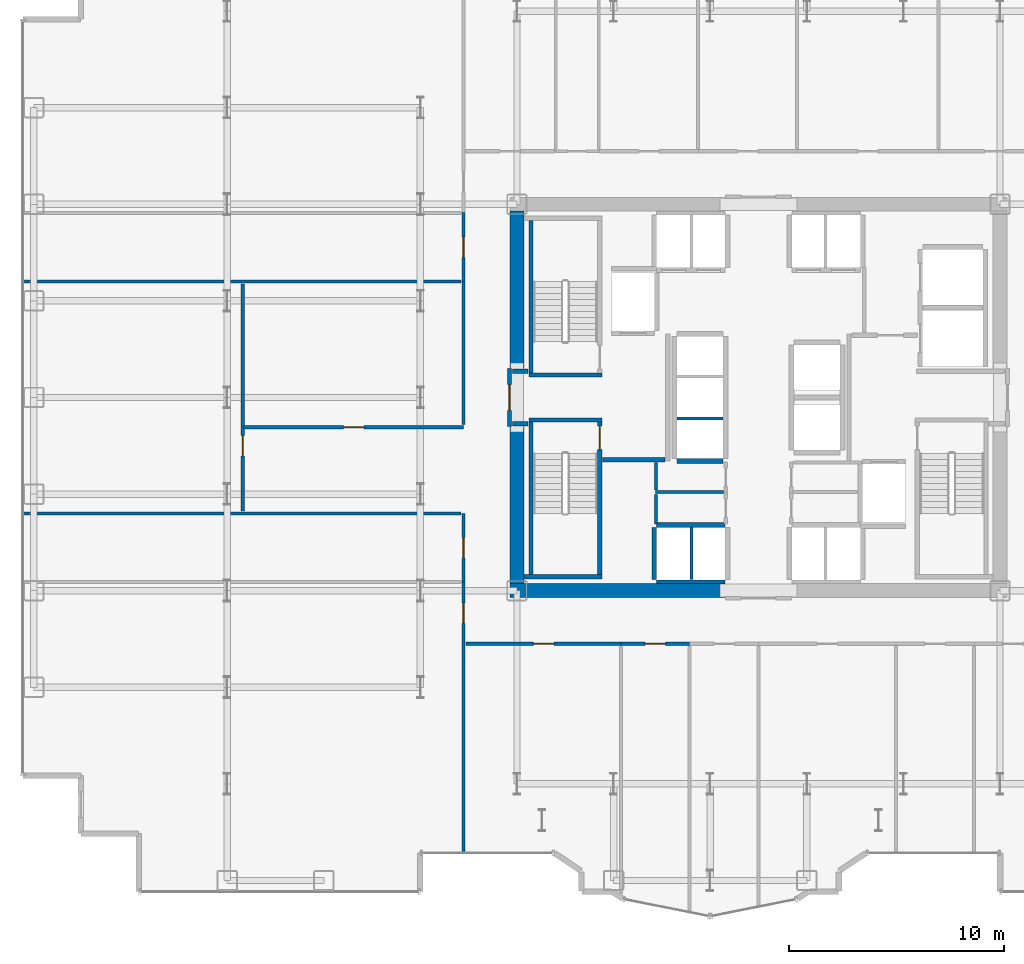
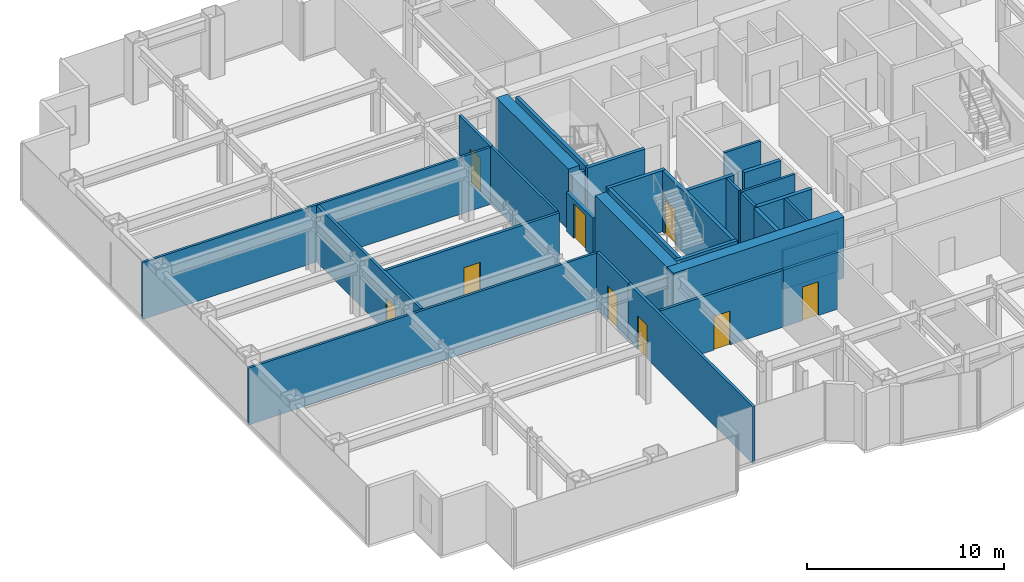
# One storey, part 20 of 25: 32 walls, 9 doors, 9 openings.
"""IFC4 building model written with IfcOpenShell, lengths in metres."""

from ifc_helpers import new_model, si_unit, direction, frame, frame_2d, origin, place, context, subcontext, project, spatial, rectangle, extrude, source, transform, mapped, material, layer, layer_set, type_object, element, fill, save


model = new_model("IFC4")

# Units and contexts
model_context = context("Model", 3, precision=1e-05, world=origin(), true_north=direction((0.0, 1.0)))
body_context = subcontext(model_context, "Body", "Model", "MODEL_VIEW")
ifc_project = project(units=[si_unit("LENGTHUNIT", "METRE"), si_unit("AREAUNIT", "SQUARE_METRE"), si_unit("VOLUMEUNIT", "CUBIC_METRE"), si_unit("PLANEANGLEUNIT", "RADIAN"), si_unit("MASSUNIT", "GRAM", prefix="KILO")], contexts=[model_context])

# Site, building, storey
site_placement = place(None, origin())
site = spatial("IfcSite", under=ifc_project, at=site_placement, CompositionType="ELEMENT")
building_placement = place(site_placement, origin())
building = spatial("IfcBuilding", under=site, at=building_placement, Name="Nefas-Gora Pilgrimage Tower", CompositionType="ELEMENT")
storey_placement = place(building_placement, frame((0.0, 0.0, 74.800048828125)))
storey = spatial("IfcBuildingStorey", under=building, at=storey_placement, Name="L17", CompositionType="ELEMENT", Elevation=74.800048828125)

# Walls
ifc_material_1 = material(Name="Concrete C60/75", Category="concrete")
ifc_layer_1 = layer(ifc_material_1, 0.64990234375)
ifc_layer_set_1 = layer_set([ifc_layer_1], Name="Concrete C60/75")
wall_type_1 = type_object("IfcWallType", Name="SW-CORE-650", PredefinedType="SHEAR", material=ifc_layer_set_1)
shared_shape_1 = source(origin(), body_context, "Body", "SweptSolid", [
    extrude(rectangle(XDim=10.02490234375, YDim=0.64990234375, at=frame_2d((5.012451171875, 0.0))), origin(), (0.0, 0.0, 1.0), 3.800048828125),
])
wall_1_placement = place(storey_placement, frame((-11.574951171875, -9.0, 0.0), z_axis=(0.0, 0.0, 1.0), x_axis=(1.0, 0.0, 0.0)))
element("IfcWall", 1, at=wall_1_placement, inside=storey, type_object=wall_type_1, Name="L17 Core Shear Wall S-West", PredefinedType="SHEAR", context=body_context, shape_type="MappedRepresentation", body=[
    mapped(shared_shape_1, transform((0.0, 0.0, 0.0), x_axis=(1.0, 0.0, 0.0), y_axis=(0.0, 1.0, 0.0), z_axis=(0.0, 0.0, 1.0), scale=1.0)),
])
shared_shape_2 = source(origin(), body_context, "Body", "SweptSolid", [
    extrude(rectangle(XDim=7.324951171875, YDim=0.64990234375, at=frame_2d((3.66259765625, 0.0))), origin(), (0.0, 0.0, 1.0), 3.800048828125),
])
for number, where, z_axis, x_axis, name in (
    (2, (-11.25, -8.675048828125, 0.0), (0.0, 0.0, 1.0), (0.0, 1.0, 0.0), "L17 Core Shear Wall W-South"),
    (3, (-11.25, 1.35009765625, 0.0), (0.0, 0.0, 1.0), (0.0, 1.0, 0.0), "L17 Core Shear Wall W-North"),
):
    element("IfcWall", number, at=place(storey_placement, frame(where, z_axis=z_axis, x_axis=x_axis)), inside=storey, type_object=wall_type_1, Name=name, PredefinedType="SHEAR", context=body_context, shape_type="MappedRepresentation", body=[
        mapped(shared_shape_2, transform((0.0, 0.0, 0.0), x_axis=(1.0, 0.0, 0.0), y_axis=(0.0, 1.0, 0.0), z_axis=(0.0, 0.0, 1.0), scale=1.0)),
    ])
ifc_material_2 = material(Name="Concrete C45/55", Category="concrete")
ifc_layer_2 = layer(ifc_material_2, 0.199951171875)
ifc_layer_set_2 = layer_set([ifc_layer_2], Name="Concrete C45/55")
wall_type_2 = type_object("IfcWallType", Name="IW-STAIR-200", PredefinedType="SOLIDWALL", material=ifc_layer_set_2)
shared_shape_3 = source(origin(), body_context, "Body", "SweptSolid", [
    extrude(rectangle(XDim=3.39990234375, YDim=0.199951171875, at=frame_2d((1.699951171875, 0.0))), origin(), (0.0, 0.0, 1.0), 3.800048828125),
])
for number, where, z_axis, x_axis, name in (
    (4, (-7.300048828125, 1.050048828125, 0.0), (0.0, 0.0, 1.0), (-1.0, 0.0, 0.0), "L17 Stairwell Shear Wall ST-01-near"),
    (5, (-10.699951171875, -1.050048828125, 0.0), (0.0, 0.0, 1.0), (1.0, 0.0, 0.0), "L17 Stairwell Shear Wall ST-03-near"),
):
    element("IfcWall", number, at=place(storey_placement, frame(where, z_axis=z_axis, x_axis=x_axis)), inside=storey, type_object=wall_type_2, Name=name, PredefinedType="SOLIDWALL", context=body_context, shape_type="MappedRepresentation", body=[
        mapped(shared_shape_3, transform((0.0, 0.0, 0.0), x_axis=(1.0, 0.0, 0.0), y_axis=(0.0, 1.0, 0.0), z_axis=(0.0, 0.0, 1.0), scale=1.0)),
    ])
shared_shape_4 = source(origin(), body_context, "Body", "SweptSolid", [
    extrude(rectangle(XDim=3.6298828125, YDim=0.199951171875, at=frame_2d((1.81494140625, 0.0))), origin(), (0.0, 0.0, 1.0), 3.800048828125),
])
wall_2_placement = place(storey_placement, frame((-10.929931640625, -8.35009765625, 0.0), z_axis=(0.0, 0.0, 1.0), x_axis=(1.0, 0.0, 0.0)))
element("IfcWall", 6, at=wall_2_placement, inside=storey, type_object=wall_type_2, Name="L17 Stairwell Shear Wall ST-03-far", PredefinedType="SOLIDWALL", context=body_context, shape_type="MappedRepresentation", body=[
    mapped(shared_shape_4, transform((0.0, 0.0, 0.0), x_axis=(1.0, 0.0, 0.0), y_axis=(0.0, 1.0, 0.0), z_axis=(0.0, 0.0, 1.0), scale=1.0)),
])
shared_shape_5 = source(origin(), body_context, "Body", "SweptSolid", [
    extrude(rectangle(XDim=7.10009765625, YDim=0.199951171875, at=frame_2d((3.550048828125, 0.0))), origin(), (0.0, 0.0, 1.0), 3.800048828125),
])
for number, where, z_axis, x_axis, name in (
    (7, (-10.60009765625, 1.14990234375, 0.0), (0.0, 0.0, 1.0), (0.0, 1.0, 0.0), "L17 Stairwell Shear Wall ST-01-right"),
    (8, (-10.60009765625, -1.14990234375, 0.0), (0.0, 0.0, 1.0), (0.0, -1.0, 0.0), "L17 Stairwell Shear Wall ST-03-left"),
):
    element("IfcWall", number, at=place(storey_placement, frame(where, z_axis=z_axis, x_axis=x_axis)), inside=storey, type_object=wall_type_2, Name=name, PredefinedType="SOLIDWALL", context=body_context, shape_type="MappedRepresentation", body=[
        mapped(shared_shape_5, transform((0.0, 0.0, 0.0), x_axis=(1.0, 0.0, 0.0), y_axis=(0.0, 1.0, 0.0), z_axis=(0.0, 0.0, 1.0), scale=1.0)),
    ])

# Wall, opening, door
wall_3_placement = place(storey_placement, frame((-7.39990234375, -1.14990234375, 0.0), z_axis=(0.0, 0.0, 1.0), x_axis=(0.0, -1.0, 0.0)))
wall_3 = element("IfcWall", 9, at=wall_3_placement, inside=storey, type_object=wall_type_2, Name="L17 Stairwell Shear Wall ST-03-right", PredefinedType="SOLIDWALL", context=body_context, shape_type="MappedRepresentation", body=[
    mapped(shared_shape_5, transform((0.0, 0.0, 0.0), x_axis=(1.0, 0.0, 0.0), y_axis=(0.0, 1.0, 0.0), z_axis=(0.0, 0.0, 1.0), scale=1.0)),
])
opening_1_placement = place(wall_3_placement, frame((0.179931640625, 0.0, 0.0)))
opening_1 = element("IfcOpeningElement", 10, at=opening_1_placement, cuts=wall_3, Name="Opening ID-ST1", PredefinedType="OPENING", context=body_context, shape_type="SweptSolid", body=[
    extrude(rectangle(XDim=1.10009765625, YDim=2.14990234375, at=frame_2d((0.550048828125, 1.074951171875))), frame((0.0, 0.10986328125, 0.0), z_axis=(0.0, -1.0, 0.0), x_axis=(1.0, 0.0, 0.0)), (0.0, 0.0, 1.0), 0.219970703125),
])
ifc_material_3 = material(Name="Painted galvanised steel fire stair door", Category="steel")
door_type_1 = type_object("IfcDoorType", Name="DR-INT-STAIR-1100", OperationType="NOTDEFINED", PredefinedType="DOOR", material=ifc_material_3)
shared_shape_6 = source(origin(), body_context, "Body", "SweptSolid", [
    extrude(rectangle(XDim=1.10009765625, YDim=2.14990234375, at=frame_2d((0.550048828125, 1.074951171875))), frame((0.0, 0.02490234375, 0.0), z_axis=(0.0, -1.0, 0.0), x_axis=(1.0, 0.0, 0.0)), (0.0, 0.0, 1.0), 0.050048828125),
])
door_1_placement = place(opening_1_placement, origin())
door_1 = element("IfcDoor", 11, at=door_1_placement, inside=storey, type_object=door_type_1, Name="L17 Protected Exit Stair Door ST-03", OperationType="SINGLE_SWING_LEFT", OverallHeight=2.14990234375, OverallWidth=1.10009765625, PredefinedType="DOOR", context=body_context, shape_type="MappedRepresentation", body=[
    mapped(shared_shape_6, transform((0.0, 0.0, 0.0), x_axis=(1.0, 0.0, 0.0), y_axis=(0.0, 1.0, 0.0), z_axis=(0.0, 0.0, 1.0), scale=1.0)),
])
fill(opening_1, door_1)

# Walls
ifc_material_4 = material(Name="Concrete C40/50", Category="concrete")
ifc_layer_3 = layer(ifc_material_4, 0.219970703125)
ifc_layer_set_3 = layer_set([ifc_layer_3], Name="Concrete C40/50")
wall_type_3 = type_object("IfcWallType", Name="IW-SHAFT-220", PredefinedType="SOLIDWALL", material=ifc_layer_set_3)
shared_shape_7 = source(origin(), body_context, "Body", "SweptSolid", [
    extrude(rectangle(XDim=3.199951171875, YDim=0.219970703125, at=frame_2d((1.60009765625, 0.0))), origin(), (0.0, 0.0, 1.0), 3.534912109375),
])
wall_4_placement = place(storey_placement, frame((-1.550048828125, -5.93994140625, 0.0), z_axis=(0.0, 0.0, 1.0), x_axis=(-1.0, 0.0, 0.0)))
element("IfcWall", 12, at=wall_4_placement, inside=storey, type_object=wall_type_3, Name="L17 Hoistway Wall PL2-W-N", PredefinedType="SOLIDWALL", context=body_context, shape_type="MappedRepresentation", body=[
    mapped(shared_shape_7, transform((0.0, 0.0, 0.0), x_axis=(1.0, 0.0, 0.0), y_axis=(0.0, 1.0, 0.0), z_axis=(0.0, 0.0, 1.0), scale=1.0)),
])
ifc_material_5 = material(Name="Gypsum acoustic stud partition")
ifc_layer_4 = layer(ifc_material_5, 0.159912109375)
ifc_layer_set_4 = layer_set([ifc_layer_4], Name="Gypsum acoustic stud partition")
wall_type_4 = type_object("IfcWallType", Name="IW-CORR-160", PredefinedType="PARTITIONING", material=ifc_layer_set_4)
shared_shape_8 = source(origin(), body_context, "Body", "SweptSolid", [
    extrude(rectangle(XDim=3.199951171875, YDim=0.159912109375, at=frame_2d((1.60009765625, 0.0))), origin(), (0.0, 0.0, 1.0), 2.425048828125),
])
wall_5_placement = place(storey_placement, frame((-4.75, -8.580078125, 0.0), z_axis=(0.0, 0.0, 1.0), x_axis=(1.0, 0.0, 0.0)))
element("IfcWall", 13, at=wall_5_placement, inside=storey, type_object=wall_type_4, Name="L17 Hoistway Wall PL2-W-S", PredefinedType="PARTITIONING", context=body_context, shape_type="MappedRepresentation", body=[
    mapped(shared_shape_8, transform((0.0, 0.0, 0.0), x_axis=(1.0, 0.0, 0.0), y_axis=(0.0, 1.0, 0.0), z_axis=(0.0, 0.0, 1.0), scale=1.0)),
])
shared_shape_9 = source(origin(), body_context, "Body", "SweptSolid", [
    extrude(rectangle(XDim=2.429931640625, YDim=0.219970703125, at=frame_2d((1.21484375, 0.0))), origin(), (0.0, 0.0, 1.0), 3.534912109375),
])
wall_6_placement = place(storey_placement, frame((-4.860107421875, -6.06005859375, 0.0), z_axis=(0.0, 0.0, 1.0), x_axis=(0.0, -1.0, 0.0)))
element("IfcWall", 14, at=wall_6_placement, inside=storey, type_object=wall_type_3, Name="L17 Hoistway Wall PL2-W-W", PredefinedType="SOLIDWALL", context=body_context, shape_type="MappedRepresentation", body=[
    mapped(shared_shape_9, transform((0.0, 0.0, 0.0), x_axis=(1.0, 0.0, 0.0), y_axis=(0.0, 1.0, 0.0), z_axis=(0.0, 0.0, 1.0), scale=1.0)),
])
ifc_material_6 = material(Name="Gypsum twin-stud partition")
ifc_layer_5 = layer(ifc_material_6, 0.139892578125)
ifc_layer_set_5 = layer_set([ifc_layer_5], Name="Gypsum twin-stud partition")
wall_type_5 = type_object("IfcWallType", Name="IW-UNIT-140", PredefinedType="PARTITIONING", material=ifc_layer_set_5)
shared_shape_10 = source(origin(), body_context, "Body", "SweptSolid", [
    extrude(rectangle(XDim=2.429931640625, YDim=0.139892578125, at=frame_2d((1.21484375, 0.0))), origin(), (0.0, 0.0, 1.0), 3.534912109375),
])
wall_7_placement = place(storey_placement, frame((-3.125, -8.489990234375, 0.0), z_axis=(0.0, 0.0, 1.0), x_axis=(0.0, 1.0, 0.0)))
element("IfcWall", 15, at=wall_7_placement, inside=storey, type_object=wall_type_5, Name="L17 Hoistway Wall PL2-W-DIV", PredefinedType="PARTITIONING", context=body_context, shape_type="MappedRepresentation", body=[
    mapped(shared_shape_10, transform((0.0, 0.0, 0.0), x_axis=(1.0, 0.0, 0.0), y_axis=(0.0, 1.0, 0.0), z_axis=(0.0, 0.0, 1.0), scale=1.0)),
])
shared_shape_11 = source(origin(), body_context, "Body", "SweptSolid", [
    extrude(rectangle(XDim=2.130126953125, YDim=0.219970703125, at=frame_2d((1.06494140625, 0.0))), origin(), (0.0, 0.0, 1.0), 3.534912109375),
])
wall_8_placement = place(storey_placement, frame((-3.7900390625, -2.9599609375, 0.0), z_axis=(0.0, 0.0, 1.0), x_axis=(1.0, 0.0, 0.0)))
element("IfcWall", 16, at=wall_8_placement, inside=storey, type_object=wall_type_3, Name="L17 Hoistway Wall PL3-01-S", PredefinedType="SOLIDWALL", context=body_context, shape_type="MappedRepresentation", body=[
    mapped(shared_shape_11, transform((0.0, 0.0, 0.0), x_axis=(1.0, 0.0, 0.0), y_axis=(0.0, 1.0, 0.0), z_axis=(0.0, 0.0, 1.0), scale=1.0)),
])
shared_shape_12 = source(origin(), body_context, "Body", "SweptSolid", [
    extrude(rectangle(XDim=2.130126953125, YDim=0.139892578125, at=frame_2d((1.06494140625, 0.0))), origin(), (0.0, 0.0, 1.0), 3.534912109375),
])
wall_9_placement = place(storey_placement, frame((-3.7900390625, -0.97509765625, 0.0), z_axis=(0.0, 0.0, 1.0), x_axis=(1.0, 0.0, 0.0)))
element("IfcWall", 17, at=wall_9_placement, inside=storey, type_object=wall_type_5, Name="L17 Hoistway Wall PL3-01-02-DIV", PredefinedType="PARTITIONING", context=body_context, shape_type="MappedRepresentation", body=[
    mapped(shared_shape_12, transform((0.0, 0.0, 0.0), x_axis=(1.0, 0.0, 0.0), y_axis=(0.0, 1.0, 0.0), z_axis=(0.0, 0.0, 1.0), scale=1.0)),
])

# Wall, opening, door
ifc_material_7 = material(Name="Gypsum fire-rated shaftwall")
ifc_layer_6 = layer(ifc_material_7, 0.199951171875)
ifc_layer_set_6 = layer_set([ifc_layer_6], Name="Gypsum fire-rated shaftwall")
wall_type_6 = type_object("IfcWallType", Name="IW-FFLOB-200", PredefinedType="PARTITIONING", material=ifc_layer_set_6)
shared_shape_13 = source(origin(), body_context, "Body", "SweptSolid", [
    extrude(rectangle(XDim=2.7001953125, YDim=0.199951171875, at=frame_2d((1.35009765625, 0.0))), origin(), (0.0, 0.0, 1.0), 2.425048828125),
])
wall_10_placement = place(storey_placement, frame((-11.60009765625, -1.35009765625, 0.0), z_axis=(0.0, 0.0, 1.0), x_axis=(0.0, 1.0, 0.0)))
wall_10 = element("IfcWall", 18, at=wall_10_placement, inside=storey, type_object=wall_type_6, Name="L17 FF Lobby West Portal Wall 3", PredefinedType="PARTITIONING", context=body_context, shape_type="MappedRepresentation", body=[
    mapped(shared_shape_13, transform((0.0, 0.0, 0.0), x_axis=(1.0, 0.0, 0.0), y_axis=(0.0, 1.0, 0.0), z_axis=(0.0, 0.0, 1.0), scale=1.0)),
])
opening_2_placement = place(wall_10_placement, frame((0.75, 0.0, 0.0)))
opening_2 = element("IfcOpeningElement", 19, at=opening_2_placement, cuts=wall_10, Name="Opening ID-FF1", PredefinedType="OPENING", context=body_context, shape_type="SweptSolid", body=[
    extrude(rectangle(XDim=1.199951171875, YDim=2.14990234375, at=frame_2d((0.60009765625, 1.074951171875))), frame((0.0, 0.10986328125, 0.0), z_axis=(0.0, -1.0, 0.0), x_axis=(1.0, 0.0, 0.0)), (0.0, 0.0, 1.0), 0.219970703125),
])
ifc_material_8 = material(Name="Smoke-sealed steel firefighting lobby door", Category="steel")
door_type_2 = type_object("IfcDoorType", Name="DR-INT-FFLOB-1200", OperationType="NOTDEFINED", PredefinedType="DOOR", material=ifc_material_8)
shared_shape_14 = source(origin(), body_context, "Body", "SweptSolid", [
    extrude(rectangle(XDim=1.199951171875, YDim=2.14990234375, at=frame_2d((0.60009765625, 1.074951171875))), frame((0.0, 0.02490234375, 0.0), z_axis=(0.0, -1.0, 0.0), x_axis=(1.0, 0.0, 0.0)), (0.0, 0.0, 1.0), 0.050048828125),
])
door_2_placement = place(opening_2_placement, origin())
door_2 = element("IfcDoor", 20, at=door_2_placement, inside=storey, type_object=door_type_2, Name="L17 FF Lobby West Portal Door 1", OperationType="SINGLE_SWING_LEFT", OverallHeight=2.14990234375, OverallWidth=1.199951171875, PredefinedType="DOOR", context=body_context, shape_type="MappedRepresentation", body=[
    mapped(shared_shape_14, transform((0.0, 0.0, 0.0), x_axis=(1.0, 0.0, 0.0), y_axis=(0.0, 1.0, 0.0), z_axis=(0.0, 0.0, 1.0), scale=1.0)),
])
fill(opening_2, door_2)

# Walls
shared_shape_15 = source(origin(), body_context, "Body", "SweptSolid", [
    extrude(rectangle(XDim=2.89990234375, YDim=0.199951171875, at=frame_2d((1.449951171875, 0.0))), origin(), (0.0, 0.0, 1.0), 3.534912109375),
])
wall_11_placement = place(storey_placement, frame((-7.260009765625, -2.89990234375, 0.0), z_axis=(0.0, 0.0, 1.0), x_axis=(1.0, 0.0, 0.0)))
element("IfcWall", 21, at=wall_11_placement, inside=storey, type_object=wall_type_6, Name="L17 FF Lobby West South Wall Wall 5", PredefinedType="PARTITIONING", context=body_context, shape_type="MappedRepresentation", body=[
    mapped(shared_shape_15, transform((0.0, 0.0, 0.0), x_axis=(1.0, 0.0, 0.0), y_axis=(0.0, 1.0, 0.0), z_axis=(0.0, 0.0, 1.0), scale=1.0)),
])
shared_shape_16 = source(origin(), body_context, "Body", "SweptSolid", [
    extrude(rectangle(XDim=0.719970703125, YDim=0.199951171875, at=frame_2d((0.35986328125, 0.0))), origin(), (0.0, 0.0, 1.0), 3.534912109375),
])
for number, where, z_axis, x_axis, name in (
    (22, (-11.4599609375, 1.219970703125, 0.0), (0.0, 0.0, 1.0), (1.0, 0.0, 0.0), "L17 FF Lobby West Throat N Wall 6"),
    (23, (-11.4599609375, -1.219970703125, 0.0), (0.0, 0.0, 1.0), (1.0, 0.0, 0.0), "L17 FF Lobby West Throat S Wall 7"),
):
    element("IfcWall", number, at=place(storey_placement, frame(where, z_axis=z_axis, x_axis=x_axis)), inside=storey, type_object=wall_type_6, Name=name, PredefinedType="PARTITIONING", context=body_context, shape_type="MappedRepresentation", body=[
        mapped(shared_shape_16, transform((0.0, 0.0, 0.0), x_axis=(1.0, 0.0, 0.0), y_axis=(0.0, 1.0, 0.0), z_axis=(0.0, 0.0, 1.0), scale=1.0)),
    ])

# Wall, opening, door
shared_shape_17 = source(origin(), body_context, "Body", "SweptSolid", [
    extrude(rectangle(XDim=10.25, YDim=0.159912109375, at=frame_2d((5.125, 0.0))), origin(), (0.0, 0.0, 1.0), 3.534912109375),
])
wall_12_placement = place(storey_placement, frame((-23.97998046875, -1.3798828125, 0.0), z_axis=(0.0, 0.0, 1.0), x_axis=(1.0, 0.0, 0.0)))
wall_12 = element("IfcWall", 24, at=wall_12_placement, inside=storey, type_object=wall_type_4, Name="L17 Pilgrim Floor Concierge Foyer Partition Wall 32", PredefinedType="PARTITIONING", context=body_context, shape_type="MappedRepresentation", body=[
    mapped(shared_shape_17, transform((0.0, 0.0, 0.0), x_axis=(1.0, 0.0, 0.0), y_axis=(0.0, 1.0, 0.0), z_axis=(0.0, 0.0, 1.0), scale=1.0)),
])
opening_3_placement = place(wall_12_placement, frame((4.64990234375, 0.0, 0.0)))
opening_3 = element("IfcOpeningElement", 25, at=opening_3_placement, cuts=wall_12, Name="Opening ID-GR1", PredefinedType="OPENING", context=body_context, shape_type="SweptSolid", body=[
    extrude(rectangle(XDim=0.949951171875, YDim=2.10009765625, at=frame_2d((0.47509765625, 1.050048828125))), frame((0.0, 0.08984375, 0.0), z_axis=(0.0, -1.0, 0.0), x_axis=(1.0, 0.0, 0.0)), (0.0, 0.0, 1.0), 0.179931640625),
])
ifc_material_9 = material(Name="Solid core oak fire-rated guest entrance door")
door_type_3 = type_object("IfcDoorType", Name="DR-INT-GUEST-950", OperationType="NOTDEFINED", PredefinedType="DOOR", material=ifc_material_9)
shared_shape_18 = source(origin(), body_context, "Body", "SweptSolid", [
    extrude(rectangle(XDim=0.949951171875, YDim=2.10009765625, at=frame_2d((0.47509765625, 1.050048828125))), frame((0.0, 0.02490234375, 0.0), z_axis=(0.0, -1.0, 0.0), x_axis=(1.0, 0.0, 0.0)), (0.0, 0.0, 1.0), 0.050048828125),
])
door_3_placement = place(opening_3_placement, origin())
door_3 = element("IfcDoor", 26, at=door_3_placement, inside=storey, type_object=door_type_3, Name="L17 Pilgrim Floor Concierge Foyer Door 13", OperationType="SINGLE_SWING_LEFT", OverallHeight=2.10009765625, OverallWidth=0.949951171875, PredefinedType="DOOR", context=body_context, shape_type="MappedRepresentation", body=[
    mapped(shared_shape_18, transform((0.0, 0.0, 0.0), x_axis=(1.0, 0.0, 0.0), y_axis=(0.0, 1.0, 0.0), z_axis=(0.0, 0.0, 1.0), scale=1.0)),
])
fill(opening_3, door_3)

# Walls
shared_shape_19 = source(origin(), body_context, "Body", "SweptSolid", [
    extrude(rectangle(XDim=20.429931640625, YDim=0.139892578125, at=frame_2d((10.21484375, 0.0))), origin(), (0.0, 0.0, 1.0), 3.534912109375),
])
wall_13_placement = place(storey_placement, frame((-34.2900390625, -5.405029296875, 0.0), z_axis=(0.0, 0.0, 1.0), x_axis=(1.0, 0.0, 0.0)))
element("IfcWall", 27, at=wall_13_placement, inside=storey, type_object=wall_type_5, Name="L17 Pilgrim Floor Concierge Foyer Partition Wall 31", PredefinedType="PARTITIONING", context=body_context, shape_type="MappedRepresentation", body=[
    mapped(shared_shape_19, transform((0.0, 0.0, 0.0), x_axis=(1.0, 0.0, 0.0), y_axis=(0.0, 1.0, 0.0), z_axis=(0.0, 0.0, 1.0), scale=1.0)),
])
shared_shape_20 = source(origin(), body_context, "Body", "SweptSolid", [
    extrude(rectangle(XDim=20.43994140625, YDim=0.139892578125, at=frame_2d((10.219970703125, 0.0))), origin(), (0.0, 0.0, 1.0), 3.534912109375),
])
wall_14_placement = place(storey_placement, frame((-34.2900390625, 5.39501953125, 0.0), z_axis=(0.0, 0.0, 1.0), x_axis=(1.0, 0.0, 0.0)))
element("IfcWall", 28, at=wall_14_placement, inside=storey, type_object=wall_type_5, Name="L17 Pilgrim Floor Concierge Foyer Partition Wall 34", PredefinedType="PARTITIONING", context=body_context, shape_type="MappedRepresentation", body=[
    mapped(shared_shape_20, transform((0.0, 0.0, 0.0), x_axis=(1.0, 0.0, 0.0), y_axis=(0.0, 1.0, 0.0), z_axis=(0.0, 0.0, 1.0), scale=1.0)),
])
shared_shape_21 = source(origin(), body_context, "Body", "SweptSolid", [
    extrude(rectangle(XDim=3.150146484375, YDim=0.139892578125, at=frame_2d((1.5751953125, 0.0))), origin(), (0.0, 0.0, 1.0), 3.534912109375),
])
wall_15_placement = place(storey_placement, frame((-4.7900390625, -4.409912109375, 0.0), z_axis=(0.0, 0.0, 1.0), x_axis=(1.0, 0.0, 0.0)))
element("IfcWall", 29, at=wall_15_placement, inside=storey, type_object=wall_type_5, Name="L17 Housekeeping and Linen Store Partition Wall 17", PredefinedType="PARTITIONING", context=body_context, shape_type="MappedRepresentation", body=[
    mapped(shared_shape_21, transform((0.0, 0.0, 0.0), x_axis=(1.0, 0.0, 0.0), y_axis=(0.0, 1.0, 0.0), z_axis=(0.0, 0.0, 1.0), scale=1.0)),
])
shared_shape_22 = source(origin(), body_context, "Body", "SweptSolid", [
    extrude(rectangle(XDim=1.260009765625, YDim=0.139892578125, at=frame_2d((0.6298828125, 0.0))), origin(), (0.0, 0.0, 1.0), 3.534912109375),
])
wall_16_placement = place(storey_placement, frame((-4.780029296875, -4.300048828125, 0.0), z_axis=(0.0, 0.0, 1.0), x_axis=(0.0, 1.0, 0.0)))
element("IfcWall", 30, at=wall_16_placement, inside=storey, type_object=wall_type_5, Name="L17 Housekeeping and Linen Store Partition Wall 18", PredefinedType="PARTITIONING", context=body_context, shape_type="MappedRepresentation", body=[
    mapped(shared_shape_22, transform((0.0, 0.0, 0.0), x_axis=(1.0, 0.0, 0.0), y_axis=(0.0, 1.0, 0.0), z_axis=(0.0, 0.0, 1.0), scale=1.0)),
])
shared_shape_23 = source(origin(), body_context, "Body", "SweptSolid", [
    extrude(rectangle(XDim=1.369873046875, YDim=0.139892578125, at=frame_2d((0.68505859375, 0.0))), origin(), (0.0, 0.0, 1.0), 3.534912109375),
])
wall_17_placement = place(storey_placement, frame((-4.780029296875, -5.889892578125, 0.0), z_axis=(0.0, 0.0, 1.0), x_axis=(0.0, 1.0, 0.0)))
element("IfcWall", 31, at=wall_17_placement, inside=storey, type_object=wall_type_5, Name="L17 Guest Self-Service Laundry Room Partition Wall 20", PredefinedType="PARTITIONING", context=body_context, shape_type="MappedRepresentation", body=[
    mapped(shared_shape_23, transform((0.0, 0.0, 0.0), x_axis=(1.0, 0.0, 0.0), y_axis=(0.0, 1.0, 0.0), z_axis=(0.0, 0.0, 1.0), scale=1.0)),
])

# Wall, opening, door
shared_shape_24 = source(origin(), body_context, "Body", "SweptSolid", [
    extrude(rectangle(XDim=12.64501953125, YDim=0.159912109375, at=frame_2d((6.322509765625, 0.0))), origin(), (0.0, 0.0, 1.0), 3.534912109375),
])
wall_18_placement = place(storey_placement, frame((-13.739990234375, -21.239990234375, 0.0), z_axis=(0.0, 0.0, 1.0), x_axis=(0.0, 1.0, 0.0)))
wall_18 = element("IfcWall", 32, at=wall_18_placement, inside=storey, type_object=wall_type_4, Name="L17 Pilgrim Floor Concierge Foyer Partition Wall 28", PredefinedType="PARTITIONING", context=body_context, shape_type="MappedRepresentation", body=[
    mapped(shared_shape_24, transform((0.0, 0.0, 0.0), x_axis=(1.0, 0.0, 0.0), y_axis=(0.0, 1.0, 0.0), z_axis=(0.0, 0.0, 1.0), scale=1.0)),
])
opening_4_placement = place(wall_18_placement, frame((10.71240234375, 0.0, 0.0)))
opening_4 = element("IfcOpeningElement", 33, at=opening_4_placement, cuts=wall_18, Name="Opening ID-GR1", PredefinedType="OPENING", context=body_context, shape_type="SweptSolid", body=[
    extrude(rectangle(XDim=0.949951171875, YDim=2.10009765625, at=frame_2d((0.47509765625, 1.050048828125))), frame((0.0, 0.08984375, 0.0), z_axis=(0.0, -1.0, 0.0), x_axis=(1.0, 0.0, 0.0)), (0.0, 0.0, 1.0), 0.179931640625),
])
door_4_placement = place(opening_4_placement, origin())
door_4 = element("IfcDoor", 34, at=door_4_placement, inside=storey, type_object=door_type_3, Name="L17 Pilgrim Floor Concierge Foyer Door 11", OperationType="SINGLE_SWING_LEFT", OverallHeight=2.10009765625, OverallWidth=0.949951171875, PredefinedType="DOOR", context=body_context, shape_type="MappedRepresentation", body=[
    mapped(shared_shape_18, transform((0.0, 0.0, 0.0), x_axis=(1.0, 0.0, 0.0), y_axis=(0.0, 1.0, 0.0), z_axis=(0.0, 0.0, 1.0), scale=1.0)),
])
fill(opening_4, door_4)

shared_shape_25 = source(origin(), body_context, "Body", "SweptSolid", [
    extrude(rectangle(XDim=3.2099609375, YDim=0.159912109375, at=frame_2d((1.60498046875, 0.0))), origin(), (0.0, 0.0, 1.0), 3.534912109375),
])
wall_19_placement = place(storey_placement, frame((-13.739990234375, -8.60498046875, 0.0), z_axis=(0.0, 0.0, 1.0), x_axis=(0.0, 1.0, 0.0)))
wall_19 = element("IfcWall", 35, at=wall_19_placement, inside=storey, type_object=wall_type_4, Name="L17 Pilgrim Floor Concierge Foyer Partition Wall 30", PredefinedType="PARTITIONING", context=body_context, shape_type="MappedRepresentation", body=[
    mapped(shared_shape_25, transform((0.0, 0.0, 0.0), x_axis=(1.0, 0.0, 0.0), y_axis=(0.0, 1.0, 0.0), z_axis=(0.0, 0.0, 1.0), scale=1.0)),
])
opening_5_placement = place(wall_19_placement, frame((1.1298828125, 0.0, 0.0)))
opening_5 = element("IfcOpeningElement", 36, at=opening_5_placement, cuts=wall_19, Name="Opening ID-GR1", PredefinedType="OPENING", context=body_context, shape_type="SweptSolid", body=[
    extrude(rectangle(XDim=0.949951171875, YDim=2.10009765625, at=frame_2d((0.47509765625, 1.050048828125))), frame((0.0, 0.08984375, 0.0), z_axis=(0.0, -1.0, 0.0), x_axis=(1.0, 0.0, 0.0)), (0.0, 0.0, 1.0), 0.179931640625),
])
door_5_placement = place(opening_5_placement, origin())
door_5 = element("IfcDoor", 37, at=door_5_placement, inside=storey, type_object=door_type_3, Name="L17 Pilgrim Floor Concierge Foyer Door 12", OperationType="SINGLE_SWING_RIGHT", OverallHeight=2.10009765625, OverallWidth=0.949951171875, PredefinedType="DOOR", context=body_context, shape_type="MappedRepresentation", body=[
    mapped(shared_shape_18, transform((0.0, 0.0, 0.0), x_axis=(1.0, 0.0, 0.0), y_axis=(0.0, 1.0, 0.0), z_axis=(0.0, 0.0, 1.0), scale=1.0)),
])
fill(opening_5, door_5)

wall_20_placement = place(storey_placement, frame((-13.739990234375, 5.39501953125, 0.0), z_axis=(0.0, 0.0, 1.0), x_axis=(0.0, 1.0, 0.0)))
wall_20 = element("IfcWall", 38, at=wall_20_placement, inside=storey, type_object=wall_type_4, Name="L17 Pilgrim Fellowship Seminar Room Partition Wall 36", PredefinedType="PARTITIONING", context=body_context, shape_type="MappedRepresentation", body=[
    mapped(shared_shape_25, transform((0.0, 0.0, 0.0), x_axis=(1.0, 0.0, 0.0), y_axis=(0.0, 1.0, 0.0), z_axis=(0.0, 0.0, 1.0), scale=1.0)),
])
opening_6_placement = place(wall_20_placement, frame((1.1298828125, 0.0, 0.0)))
opening_6 = element("IfcOpeningElement", 39, at=opening_6_placement, cuts=wall_20, Name="Opening ID-GR1", PredefinedType="OPENING", context=body_context, shape_type="SweptSolid", body=[
    extrude(rectangle(XDim=0.949951171875, YDim=2.10009765625, at=frame_2d((0.47509765625, 1.050048828125))), frame((0.0, 0.08984375, 0.0), z_axis=(0.0, -1.0, 0.0), x_axis=(1.0, 0.0, 0.0)), (0.0, 0.0, 1.0), 0.179931640625),
])
door_6_placement = place(opening_6_placement, origin())
door_6 = element("IfcDoor", 40, at=door_6_placement, inside=storey, type_object=door_type_3, Name="L17 Pilgrim Fellowship Seminar Room Door 15", OperationType="SINGLE_SWING_LEFT", OverallHeight=2.10009765625, OverallWidth=0.949951171875, PredefinedType="DOOR", context=body_context, shape_type="MappedRepresentation", body=[
    mapped(shared_shape_18, transform((0.0, 0.0, 0.0), x_axis=(1.0, 0.0, 0.0), y_axis=(0.0, 1.0, 0.0), z_axis=(0.0, 0.0, 1.0), scale=1.0)),
])
fill(opening_6, door_6)

# Wall
shared_shape_26 = source(origin(), body_context, "Body", "SweptSolid", [
    extrude(rectangle(XDim=6.6650390625, YDim=0.139892578125, at=frame_2d((3.33251953125, 0.0))), origin(), (0.0, 0.0, 1.0), 3.534912109375),
])
wall_21_placement = place(storey_placement, frame((-13.739990234375, -1.260009765625, 0.0), z_axis=(0.0, 0.0, 1.0), x_axis=(0.0, 1.0, 0.0)))
element("IfcWall", 41, at=wall_21_placement, inside=storey, type_object=wall_type_5, Name="L17 Pilgrim Floor Concierge Foyer Partition Wall 33", PredefinedType="PARTITIONING", context=body_context, shape_type="MappedRepresentation", body=[
    mapped(shared_shape_26, transform((0.0, 0.0, 0.0), x_axis=(1.0, 0.0, 0.0), y_axis=(0.0, 1.0, 0.0), z_axis=(0.0, 0.0, 1.0), scale=1.0)),
])

# Wall, opening, door
shared_shape_27 = source(origin(), body_context, "Body", "SweptSolid", [
    extrude(rectangle(XDim=10.579833984375, YDim=0.159912109375, at=frame_2d((5.2900390625, 0.0))), origin(), (0.0, 0.0, 1.0), 3.534912109375),
])
wall_22_placement = place(storey_placement, frame((-24.02001953125, -5.294921875, 0.0), z_axis=(0.0, 0.0, 1.0), x_axis=(0.0, 1.0, 0.0)))
wall_22 = element("IfcWall", 42, at=wall_22_placement, inside=storey, type_object=wall_type_4, Name="L17 Pilgrim Tea and Beverage Pantry Partition Wall 35", PredefinedType="PARTITIONING", context=body_context, shape_type="MappedRepresentation", body=[
    mapped(shared_shape_27, transform((0.0, 0.0, 0.0), x_axis=(1.0, 0.0, 0.0), y_axis=(0.0, 1.0, 0.0), z_axis=(0.0, 0.0, 1.0), scale=1.0)),
])
opening_7_placement = place(wall_22_placement, frame((2.570068359375, 0.0, 0.0)))
opening_7 = element("IfcOpeningElement", 43, at=opening_7_placement, cuts=wall_22, Name="Opening ID-GR1", PredefinedType="OPENING", context=body_context, shape_type="SweptSolid", body=[
    extrude(rectangle(XDim=0.949951171875, YDim=2.10009765625, at=frame_2d((0.47509765625, 1.050048828125))), frame((0.0, 0.08984375, 0.0), z_axis=(0.0, -1.0, 0.0), x_axis=(1.0, 0.0, 0.0)), (0.0, 0.0, 1.0), 0.179931640625),
])
door_7_placement = place(opening_7_placement, origin())
door_7 = element("IfcDoor", 44, at=door_7_placement, inside=storey, type_object=door_type_3, Name="L17 Pilgrim Tea and Beverage Pantry Door 14", OperationType="SINGLE_SWING_RIGHT", OverallHeight=2.10009765625, OverallWidth=0.949951171875, PredefinedType="DOOR", context=body_context, shape_type="MappedRepresentation", body=[
    mapped(shared_shape_18, transform((0.0, 0.0, 0.0), x_axis=(1.0, 0.0, 0.0), y_axis=(0.0, 1.0, 0.0), z_axis=(0.0, 0.0, 1.0), scale=1.0)),
])
fill(opening_7, door_7)

shared_shape_28 = source(origin(), body_context, "Body", "SweptSolid", [
    extrude(rectangle(XDim=7.22509765625, YDim=0.159912109375, at=frame_2d((3.612548828125, 0.0))), origin(), (0.0, 0.0, 1.0), 3.534912109375),
])
wall_23_placement = place(storey_placement, frame((-13.6201171875, -11.469970703125, 0.0), z_axis=(0.0, 0.0, 1.0), x_axis=(1.0, 0.0, 0.0)))
wall_23 = element("IfcWall", 45, at=wall_23_placement, inside=storey, type_object=wall_type_4, Name="L17 Pilgrim Contemplative Lounge Partition Wall 54", PredefinedType="PARTITIONING", context=body_context, shape_type="MappedRepresentation", body=[
    mapped(shared_shape_28, transform((0.0, 0.0, 0.0), x_axis=(1.0, 0.0, 0.0), y_axis=(0.0, 1.0, 0.0), z_axis=(0.0, 0.0, 1.0), scale=1.0)),
])
opening_8_placement = place(wall_23_placement, frame((3.137451171875, 0.0, 0.0)))
opening_8 = element("IfcOpeningElement", 46, at=opening_8_placement, cuts=wall_23, Name="Opening ID-GR1", PredefinedType="OPENING", context=body_context, shape_type="SweptSolid", body=[
    extrude(rectangle(XDim=0.949951171875, YDim=2.10009765625, at=frame_2d((0.47509765625, 1.050048828125))), frame((0.0, 0.08984375, 0.0), z_axis=(0.0, -1.0, 0.0), x_axis=(1.0, 0.0, 0.0)), (0.0, 0.0, 1.0), 0.179931640625),
])
door_8_placement = place(opening_8_placement, origin())
door_8 = element("IfcDoor", 47, at=door_8_placement, inside=storey, type_object=door_type_3, Name="L17 Pilgrim Contemplative Lounge Door 26", OperationType="SINGLE_SWING_RIGHT", OverallHeight=2.10009765625, OverallWidth=0.949951171875, PredefinedType="DOOR", context=body_context, shape_type="MappedRepresentation", body=[
    mapped(shared_shape_18, transform((0.0, 0.0, 0.0), x_axis=(1.0, 0.0, 0.0), y_axis=(0.0, 1.0, 0.0), z_axis=(0.0, 0.0, 1.0), scale=1.0)),
])
fill(opening_8, door_8)

shared_shape_29 = source(origin(), body_context, "Body", "SweptSolid", [
    extrude(rectangle(XDim=3.20263671875, YDim=0.159912109375, at=frame_2d((1.601318359375, 0.0))), origin(), (0.0, 0.0, 1.0), 3.534912109375),
])
wall_24_placement = place(storey_placement, frame((-6.405029296875, -11.469970703125, 0.0), z_axis=(0.0, 0.0, 1.0), x_axis=(1.0, 0.0, 0.0)))
wall_24 = element("IfcWall", 48, at=wall_24_placement, inside=storey, type_object=wall_type_4, Name="L17 Pastoral Chaplains Counselling Office Partition Wall 59", PredefinedType="PARTITIONING", context=body_context, shape_type="MappedRepresentation", body=[
    mapped(shared_shape_29, transform((0.0, 0.0, 0.0), x_axis=(1.0, 0.0, 0.0), y_axis=(0.0, 1.0, 0.0), z_axis=(0.0, 0.0, 1.0), scale=1.0)),
])
opening_9_placement = place(wall_24_placement, frame((1.126220703125, 0.0, 0.0)))
opening_9 = element("IfcOpeningElement", 49, at=opening_9_placement, cuts=wall_24, Name="Opening ID-GR1", PredefinedType="OPENING", context=body_context, shape_type="SweptSolid", body=[
    extrude(rectangle(XDim=0.949951171875, YDim=2.10009765625, at=frame_2d((0.47509765625, 1.050048828125))), frame((0.0, 0.08984375, 0.0), z_axis=(0.0, -1.0, 0.0), x_axis=(1.0, 0.0, 0.0)), (0.0, 0.0, 1.0), 0.179931640625),
])
door_9_placement = place(opening_9_placement, origin())
door_9 = element("IfcDoor", 50, at=door_9_placement, inside=storey, type_object=door_type_3, Name="L17 Pastoral Chaplains Counselling Office Door 28", OperationType="SINGLE_SWING_RIGHT", OverallHeight=2.10009765625, OverallWidth=0.949951171875, PredefinedType="DOOR", context=body_context, shape_type="MappedRepresentation", body=[
    mapped(shared_shape_18, transform((0.0, 0.0, 0.0), x_axis=(1.0, 0.0, 0.0), y_axis=(0.0, 1.0, 0.0), z_axis=(0.0, 0.0, 1.0), scale=1.0)),
])
fill(opening_9, door_9)

save(model, "model.ifc")
